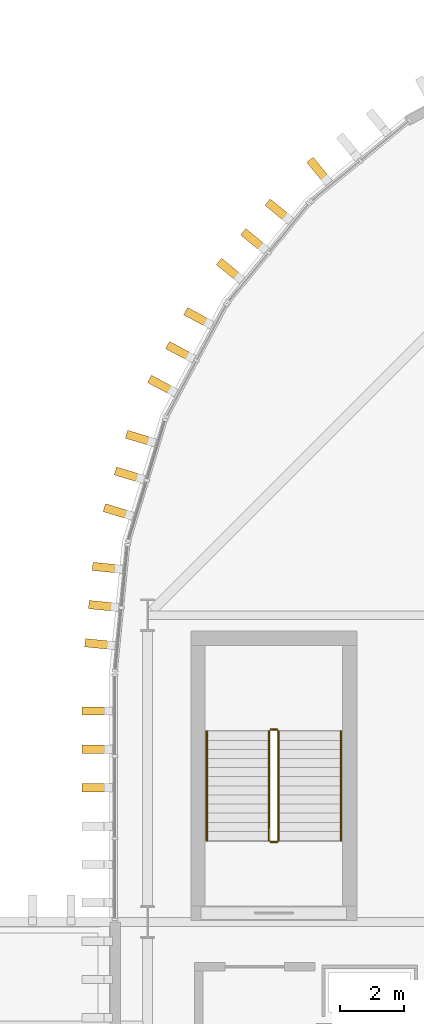
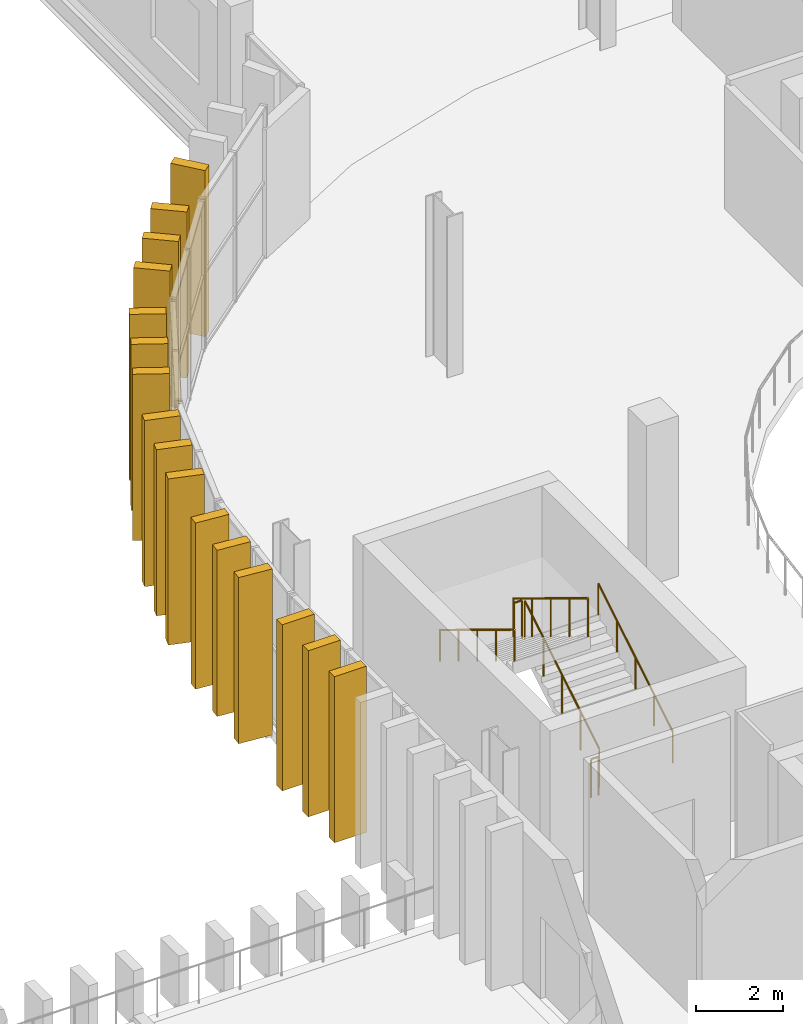
# One storey, part 80 of 92: 16 coverings, 6 railings.
"""IFC4 building model written with IfcOpenShell, lengths in metres."""

from ifc_helpers import new_model, si_unit, direction, frame, origin, origin_2d, place, context, subcontext, project, spatial, rectangle, circle, extrude, material, material_profile, profile_set, type_object, element, save


model = new_model("IFC4")

# Units and contexts
model_context = context("Model", 3, precision=1e-05, world=origin(), true_north=direction((0.0, 1.0)))
body_context = subcontext(model_context, "Body", "Model", "MODEL_VIEW")
ifc_project = project(units=[si_unit("LENGTHUNIT", "METRE"), si_unit("AREAUNIT", "SQUARE_METRE"), si_unit("VOLUMEUNIT", "CUBIC_METRE"), si_unit("PLANEANGLEUNIT", "RADIAN"), si_unit("MASSUNIT", "GRAM", prefix="KILO")], contexts=[model_context])

# Site, building, storey
site_placement = place(None, origin())
site = spatial("IfcSite", under=ifc_project, at=site_placement, CompositionType="ELEMENT")
building_placement = place(site_placement, origin())
building = spatial("IfcBuilding", under=site, at=building_placement, Name="Caelomonte Colonnade Arena", CompositionType="ELEMENT")
storey_placement = place(building_placement, frame((0.0, 0.0, 9.60009765625)))
storey = spatial("IfcBuildingStorey", under=building, at=storey_placement, Name="L02", CompositionType="ELEMENT", Elevation=9.60009765625)

# Coverings
ifc_material_1 = material(Name="Precast travertine cladding", Category="masonry")
ifc_material_profile = material_profile(ifc_material_1, rectangle(XDim=0.260009765625, YDim=0.85009765625, at=origin_2d()), Name="FIN260X850")
ifc_profile_set = profile_set([ifc_material_profile], Name="Precast travertine cladding")
covering_type = type_object("IfcCoveringType", Name="ENV-FN-SHAFT", PredefinedType="CLADDING", material=ifc_profile_set)
for number, where, z_axis, x_axis, name in (
    (1, (62.947265625, 109.919189453125, -0.16015625), (0.0, 0.0, 1.0), (0.77299384472, 0.634413521313, 0.0), "V1 L02 classical travertine vertical fin 158"),
    (2, (61.680908203125, 108.65283203125, -0.16015625), (0.0, 0.0, 1.0), (0.634413521313, 0.77299384472, 0.0), "V1 L02 classical travertine vertical fin 159"),
    (3, (60.91943359375, 107.72509765625, -0.16015625), (0.0, 0.0, 1.0), (0.634413521313, 0.77299384472, 0.0), "V1 L02 classical travertine vertical fin 160"),
    (4, (60.158203125, 106.797607421875, -0.16015625), (0.0, 0.0, 1.0), (0.634413521313, 0.77299384472, 0.0), "V1 L02 classical travertine vertical fin 161"),
    (5, (59.1630859375, 105.30859375, -0.16015625), (0.0, 0.0, 1.0), (0.471396736826, 0.881921264348, 0.0), "V1 L02 classical travertine vertical fin 162"),
    (6, (58.597412109375, 104.250244140625, -0.16015625), (0.0, 0.0, 1.0), (0.471396736826, 0.881921264348, 0.0), "V1 L02 classical travertine vertical fin 163"),
    (7, (58.03173828125, 103.19189453125, -0.16015625), (0.0, 0.0, 1.0), (0.471396736826, 0.881921264348, 0.0), "V1 L02 classical travertine vertical fin 164"),
    (8, (57.346435546875, 101.537109375, -0.16015625), (0.0, 0.0, 1.0), (0.290276326364, 0.956942868907, 0.0), "V1 L02 classical travertine vertical fin 165"),
    (9, (56.998046875, 100.388916015625, -0.16015625), (0.0, 0.0, 1.0), (0.290276326364, 0.956942868907, 0.0), "V1 L02 classical travertine vertical fin 166"),
    (10, (56.64990234375, 99.240478515625, -0.16015625), (0.0, 0.0, 1.0), (0.290276326364, 0.956942868907, 0.0), "V1 L02 classical travertine vertical fin 167"),
    (11, (56.30029296875, 97.48388671875, -0.16015625), (0.0, 0.0, 1.0), (0.098015403404, 0.995184897743, 0.0), "V1 L02 classical travertine vertical fin 168"),
    (12, (56.182861328125, 96.289794921875, -0.16015625), (0.0, 0.0, 1.0), (0.098015403404, 0.995184897743, 0.0), "V1 L02 classical travertine vertical fin 169"),
    (13, (56.065185546875, 95.095458984375, -0.16015625), (0.0, 0.0, 1.0), (0.098015403404, 0.995184897743, 0.0), "V1 L02 classical travertine vertical fin 170"),
    (14, (55.97900390625, 93.0, -0.16015625), (0.0, 0.0, 1.0), (0.0, 1.0, 0.0), "V1 L02 classical travertine vertical fin 171"),
    (15, (55.97900390625, 91.800048828125, -0.16015625), (0.0, 0.0, 1.0), (0.0, 1.0, 0.0), "V1 L02 classical travertine vertical fin 172"),
    (16, (55.97900390625, 90.60009765625, -0.16015625), (0.0, 0.0, 1.0), (0.0, 1.0, 0.0), "V1 L02 classical travertine vertical fin 173"),
):
    element("IfcCovering", number, at=place(storey_placement, frame(where, z_axis=z_axis, x_axis=x_axis)), inside=storey, type_object=covering_type, Name=name, PredefinedType="CLADDING", context=body_context, shape_type="SweptSolid", body=[
        extrude(rectangle(XDim=0.260009765625, YDim=0.85009765625, at=origin_2d()), origin(), (0.0, 0.0, 1.0), 4.66015625),
    ])

# Railings
ifc_material_2 = material(Name="Painted galvanized steel stair guard", Category="steel")
railing_type_1 = type_object("IfcRailingType", Name="INT-RL-GRD", PredefinedType="GUARDRAIL", material=ifc_material_2)
railing_1_placement = place(storey_placement, frame((61.699951171875, 88.949951171875, 0.173095703125)))
element("IfcRailing", 17, at=railing_1_placement, inside=storey, type_object=railing_type_1, Name="L02 ST-04 stair guard 1", PredefinedType="GUARDRAIL", context=body_context, shape_type="SweptSolid", body=[
    extrude(circle(Radius=0.02392578125, at=origin_2d()), frame((0.0, 0.0, 1.076171875), z_axis=(0.0, 0.854745945586, 0.519046595696), x_axis=(-1.0, 0.0, 0.0)), (0.0, 0.0, 1.0), 4.00146484375),
    extrude(circle(Radius=0.02099609375, at=origin_2d()), origin(), (0.0, 0.0, 1.0), 1.048095703125),
    extrude(circle(Radius=0.02099609375, at=origin_2d()), frame((0.0, 0.85498046875, 0.519287109375)), (0.0, 0.0, 1.0), 1.048095703125),
    extrude(circle(Radius=0.02099609375, at=origin_2d()), frame((0.0, 1.7099609375, 1.03857421875)), (0.0, 0.0, 1.0), 1.048095703125),
    extrude(circle(Radius=0.02099609375, at=origin_2d()), frame((0.0, 2.565185546875, 1.5576171875)), (0.0, 0.0, 1.0), 1.048095703125),
    extrude(circle(Radius=0.02099609375, at=origin_2d()), frame((0.0, 3.420166015625, 2.076904296875)), (0.0, 0.0, 1.0), 1.048095703125),
])
railing_2_placement = place(storey_placement, frame((61.64990234375, 92.419921875, 2.25)))
element("IfcRailing", 18, at=railing_2_placement, inside=storey, type_object=railing_type_1, Name="L02 ST-04 stair guard 2", PredefinedType="GUARDRAIL", context=body_context, shape_type="SweptSolid", body=[
    extrude(circle(Radius=0.02392578125, at=origin_2d()), frame((0.0, 0.0, 1.076171875), z_axis=(-1.0, 0.0, 0.0), x_axis=(0.0, -1.0, 0.0)), (0.0, 0.0, 1.0), 0.199951171875),
    extrude(circle(Radius=0.02099609375, at=origin_2d()), origin(), (0.0, 0.0, 1.0), 1.048095703125),
    extrude(circle(Radius=0.02099609375, at=origin_2d()), frame((-0.199951171875, 0.0, 0.0)), (0.0, 0.0, 1.0), 1.048095703125),
])
railing_3_placement = place(storey_placement, frame((61.39990234375, 92.3701171875, 2.423095703125)))
element("IfcRailing", 19, at=railing_3_placement, inside=storey, type_object=railing_type_1, Name="L02 ST-04 stair guard 3", PredefinedType="GUARDRAIL", context=body_context, shape_type="SweptSolid", body=[
    extrude(circle(Radius=0.02392578125, at=origin_2d()), frame((0.0, 0.0, 1.076171875), z_axis=(0.0, -0.854745945586, 0.519046595696), x_axis=(1.0, 0.0, 0.0)), (0.0, 0.0, 1.0), 4.00146484375),
    extrude(circle(Radius=0.02099609375, at=origin_2d()), origin(), (0.0, 0.0, 1.0), 1.048095703125),
    extrude(circle(Radius=0.02099609375, at=origin_2d()), frame((0.0, -0.85498046875, 0.519287109375)), (0.0, 0.0, 1.0), 1.048095703125),
    extrude(circle(Radius=0.02099609375, at=origin_2d()), frame((0.0, -1.7099609375, 1.03857421875)), (0.0, 0.0, 1.0), 1.048095703125),
    extrude(circle(Radius=0.02099609375, at=origin_2d()), frame((0.0, -2.565185546875, 1.5576171875)), (0.0, 0.0, 1.0), 1.048095703125),
    extrude(circle(Radius=0.02099609375, at=origin_2d()), frame((0.0, -3.420166015625, 2.076904296875)), (0.0, 0.0, 1.0), 1.048095703125),
])
railing_4_placement = place(storey_placement, frame((61.64990234375, 88.89990234375, 0.0)))
element("IfcRailing", 20, at=railing_4_placement, inside=storey, type_object=railing_type_1, Name="L02 ST-04 stair guard 4", PredefinedType="GUARDRAIL", context=body_context, shape_type="SweptSolid", body=[
    extrude(circle(Radius=0.02392578125, at=origin_2d()), frame((0.0, 0.0, 1.076171875), z_axis=(-1.0, 0.0, 0.0), x_axis=(0.0, -1.0, 0.0)), (0.0, 0.0, 1.0), 0.199951171875),
    extrude(circle(Radius=0.02099609375, at=origin_2d()), origin(), (0.0, 0.0, 1.0), 1.048095703125),
    extrude(circle(Radius=0.02099609375, at=origin_2d()), frame((-0.199951171875, 0.0, 0.0)), (0.0, 0.0, 1.0), 1.048095703125),
])
ifc_material_3 = material(Name="Brushed stainless steel stair handrail", Category="steel")
railing_type_2 = type_object("IfcRailingType", Name="INT-RL-HR", PredefinedType="HANDRAIL", material=ifc_material_3)
railing_5_placement = place(storey_placement, frame((63.64990234375, 88.949951171875, 0.173095703125)))
element("IfcRailing", 21, at=railing_5_placement, inside=storey, type_object=railing_type_2, Name="L02 ST-04 stair handrail 1", PredefinedType="HANDRAIL", context=body_context, shape_type="SweptSolid", body=[
    extrude(circle(Radius=0.02392578125, at=origin_2d()), frame((0.0, 0.0, 0.8759765625), z_axis=(0.0, 0.854745945586, 0.519046595696), x_axis=(-1.0, 0.0, 0.0)), (0.0, 0.0, 1.0), 4.00146484375),
    extrude(circle(Radius=0.02099609375, at=origin_2d()), origin(), (0.0, 0.0, 1.0), 0.847900390625),
    extrude(circle(Radius=0.02099609375, at=origin_2d()), frame((0.0, 0.85498046875, 0.519287109375)), (0.0, 0.0, 1.0), 0.847900390625),
    extrude(circle(Radius=0.02099609375, at=origin_2d()), frame((0.0, 1.7099609375, 1.03857421875)), (0.0, 0.0, 1.0), 0.847900390625),
    extrude(circle(Radius=0.02099609375, at=origin_2d()), frame((0.0, 2.565185546875, 1.5576171875)), (0.0, 0.0, 1.0), 0.847900390625),
    extrude(circle(Radius=0.02099609375, at=origin_2d()), frame((0.0, 3.420166015625, 2.076904296875)), (0.0, 0.0, 1.0), 0.847900390625),
])
railing_6_placement = place(storey_placement, frame((59.449951171875, 92.3701171875, 2.423095703125)))
element("IfcRailing", 22, at=railing_6_placement, inside=storey, type_object=railing_type_2, Name="L02 ST-04 stair handrail 2", PredefinedType="HANDRAIL", context=body_context, shape_type="SweptSolid", body=[
    extrude(circle(Radius=0.02392578125, at=origin_2d()), frame((0.0, 0.0, 0.8759765625), z_axis=(0.0, -0.854745945586, 0.519046595696), x_axis=(1.0, 0.0, 0.0)), (0.0, 0.0, 1.0), 4.00146484375),
    extrude(circle(Radius=0.02099609375, at=origin_2d()), origin(), (0.0, 0.0, 1.0), 0.847900390625),
    extrude(circle(Radius=0.02099609375, at=origin_2d()), frame((0.0, -0.85498046875, 0.519287109375)), (0.0, 0.0, 1.0), 0.847900390625),
    extrude(circle(Radius=0.02099609375, at=origin_2d()), frame((0.0, -1.7099609375, 1.03857421875)), (0.0, 0.0, 1.0), 0.847900390625),
    extrude(circle(Radius=0.02099609375, at=origin_2d()), frame((0.0, -2.565185546875, 1.5576171875)), (0.0, 0.0, 1.0), 0.847900390625),
    extrude(circle(Radius=0.02099609375, at=origin_2d()), frame((0.0, -3.420166015625, 2.076904296875)), (0.0, 0.0, 1.0), 0.847900390625),
])

save(model, "model.ifc")
